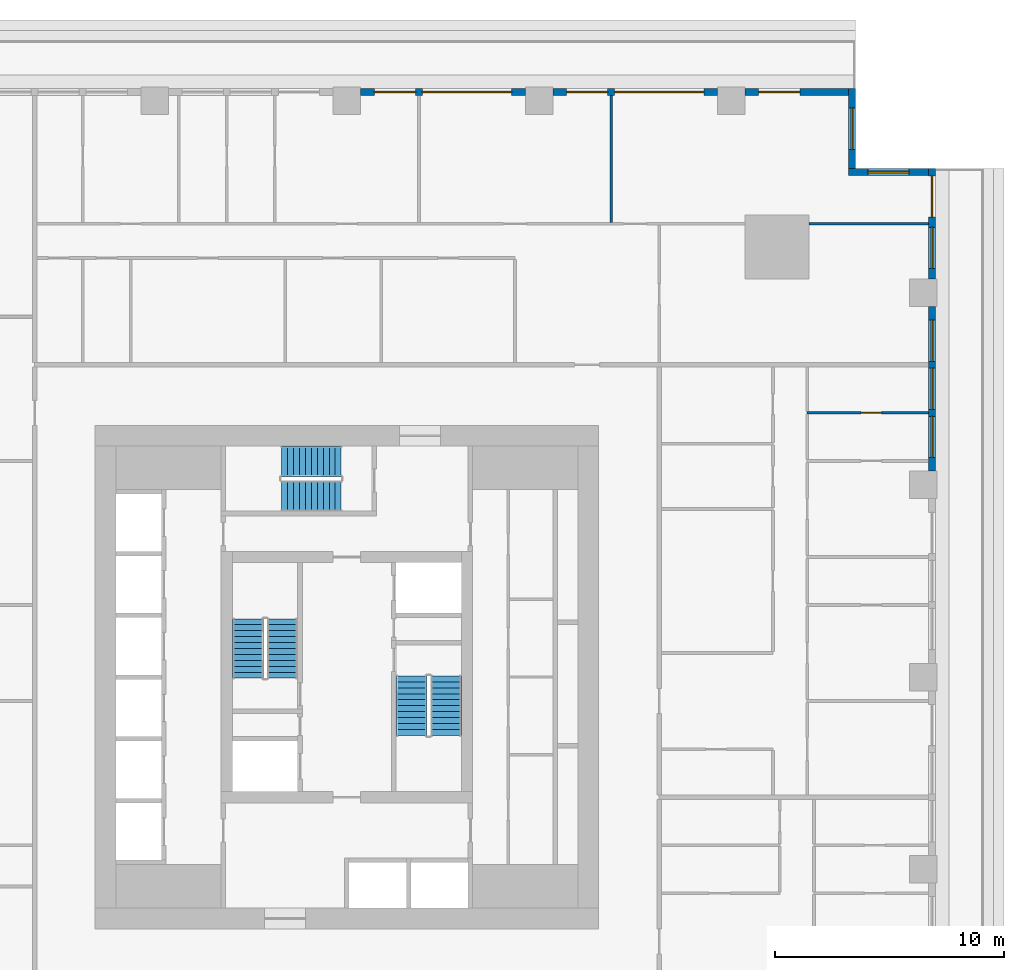
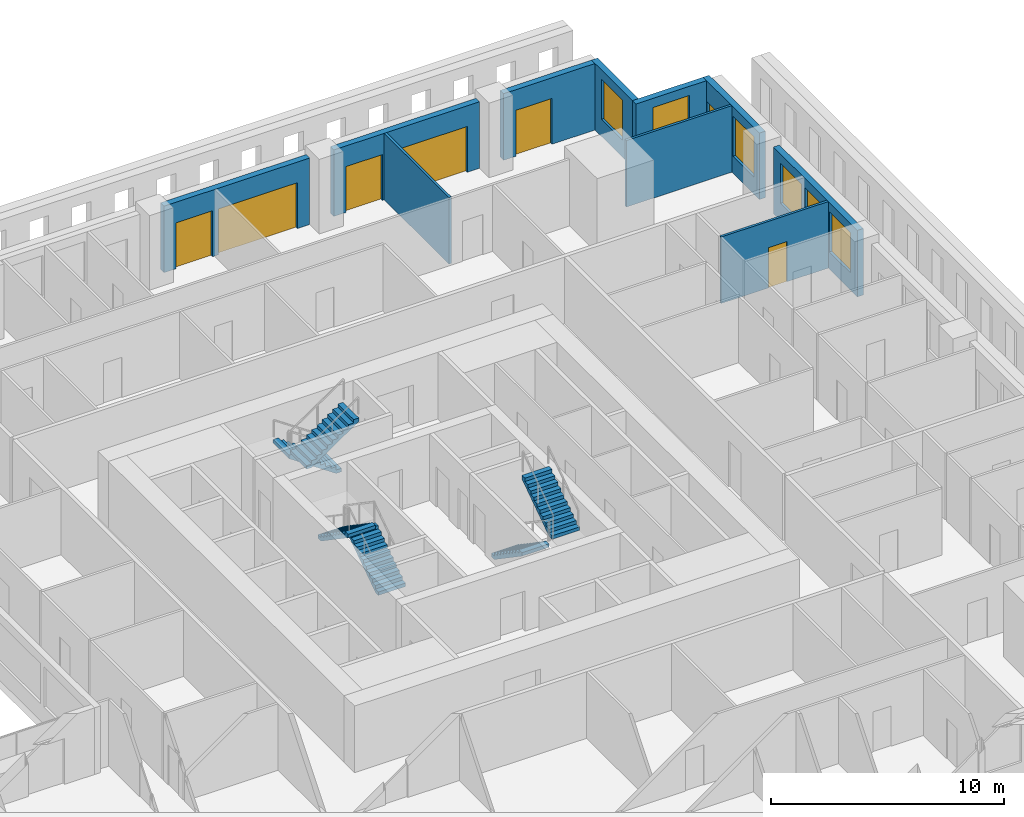
# One storey, part 9 of 14: 10 walls, 7 doors, 6 stair flights, 6 windows, 13 openings, 3 elements without a shape of their own.
"""IFC4 building model written with IfcOpenShell, lengths in metres."""

from ifc_helpers import new_model, si_unit, direction, frame, frame_2d, origin, place, context, subcontext, project, spatial, polyline, rectangle, outline, extrude, material, layer, layer_set, type_object, element, fill, aggregate, save


model = new_model("IFC4")

# Units and contexts
model_context = context("Model", 3, precision=1e-05, world=origin(), true_north=direction((0.0, 1.0)))
body_context = subcontext(model_context, "Body", "Model", "MODEL_VIEW")
ifc_project = project(units=[si_unit("LENGTHUNIT", "METRE"), si_unit("AREAUNIT", "SQUARE_METRE"), si_unit("VOLUMEUNIT", "CUBIC_METRE"), si_unit("PLANEANGLEUNIT", "RADIAN"), si_unit("MASSUNIT", "GRAM", prefix="KILO")], contexts=[model_context])

# Site, building, storey
site_placement = place(None, origin())
site = spatial("IfcSite", under=ifc_project, at=site_placement, CompositionType="ELEMENT")
building_placement = place(site_placement, origin())
building = spatial("IfcBuilding", under=site, at=building_placement, Name="Khepri Terraces", CompositionType="ELEMENT")
storey_placement = place(building_placement, frame((0.0, 0.0, 87.0)))
storey = spatial("IfcBuildingStorey", under=building, at=storey_placement, Name="L20", CompositionType="ELEMENT", Elevation=87.0)

# Wall, openings, windows
ifc_material_1 = material(Name="Precast concrete C50/60 warm stone", Category="masonry")
ifc_layer_1 = layer(ifc_material_1, 0.300048828125, Name="Precast concrete C50/60 warm stone", Category="masonry")
ifc_layer_set_1 = layer_set([ifc_layer_1], Name="Precast concrete C50/60 warm stone")
wall_type_1 = type_object("IfcWallType", Name="WL-EXT-PRECAST-300", PredefinedType="STANDARD", material=ifc_layer_set_1)
wall_1_placement = place(storey_placement, frame((25.570068359375, 9.0, 0.0), z_axis=(0.0, 0.0, 1.0), x_axis=(0.0, 1.0, 0.0)))
wall_1 = element("IfcWall", 1, at=wall_1_placement, inside=storey, type_object=wall_type_1, Name="External wall L20 E", PredefinedType="STANDARD", context=body_context, shape_type="SweptSolid", body=[
    extrude(rectangle(XDim=7.199951171875, YDim=0.300048828125, at=frame_2d((3.60009765625, 0.0))), origin(), (0.0, 0.0, 1.0), 3.47998046875),
])
opening_1_placement = place(wall_1_placement, frame((0.60009765625, 0.0, 0.89990234375)))
opening_1 = element("IfcOpeningElement", 2, at=opening_1_placement, cuts=wall_1, Name="Opening W1", PredefinedType="OPENING", context=body_context, shape_type="SweptSolid", body=[
    extrude(rectangle(XDim=1.800048828125, YDim=2.10009765625, at=frame_2d((0.89990234375, 1.050048828125))), frame((0.0, 0.16015625, 0.0), z_axis=(0.0, -1.0, 0.0), x_axis=(1.0, 0.0, 0.0)), (0.0, 0.0, 1.0), 0.320068359375),
])
opening_2_placement = place(wall_1_placement, frame((2.699951171875, 0.0, 0.89990234375)))
opening_2 = element("IfcOpeningElement", 3, at=opening_2_placement, cuts=wall_1, Name="Opening W1", PredefinedType="OPENING", context=body_context, shape_type="SweptSolid", body=[
    extrude(rectangle(XDim=1.800048828125, YDim=2.10009765625, at=frame_2d((0.89990234375, 1.050048828125))), frame((0.0, 0.16015625, 0.0), z_axis=(0.0, -1.0, 0.0), x_axis=(1.0, 0.0, 0.0)), (0.0, 0.0, 1.0), 0.320068359375),
])
opening_3_placement = place(wall_1_placement, frame((4.800048828125, 0.0, 0.89990234375)))
opening_3 = element("IfcOpeningElement", 4, at=opening_3_placement, cuts=wall_1, Name="Opening W1", PredefinedType="OPENING", context=body_context, shape_type="SweptSolid", body=[
    extrude(rectangle(XDim=1.800048828125, YDim=2.10009765625, at=frame_2d((0.89990234375, 1.050048828125))), frame((0.0, 0.16015625, 0.0), z_axis=(0.0, -1.0, 0.0), x_axis=(1.0, 0.0, 0.0)), (0.0, 0.0, 1.0), 0.320068359375),
])
ifc_material_2 = material(Name="Clear glass", Category="glass")
window_type = type_object("IfcWindowType", Name="WIN-RES-1800x2100", PartitioningType="SINGLE_PANEL", PredefinedType="WINDOW", material=ifc_material_2)
window_1_placement = place(opening_1_placement, origin())
window_1 = element("IfcWindow", 5, at=window_1_placement, inside=storey, type_object=window_type, Name="Window L20 E", OverallHeight=2.10009765625, OverallWidth=1.800048828125, PartitioningType="SINGLE_PANEL", PredefinedType="WINDOW", context=body_context, shape_type="SweptSolid", body=[
    extrude(rectangle(XDim=1.800048828125, YDim=2.10009765625, at=frame_2d((0.89990234375, 1.050048828125))), frame((0.0, 0.030029296875, 0.0), z_axis=(0.0, -1.0, 0.0), x_axis=(1.0, 0.0, 0.0)), (0.0, 0.0, 1.0), 0.06005859375),
])
fill(opening_1, window_1)
window_2_placement = place(opening_2_placement, origin())
window_2 = element("IfcWindow", 6, at=window_2_placement, inside=storey, type_object=window_type, Name="Window L20 E", OverallHeight=2.10009765625, OverallWidth=1.800048828125, PartitioningType="SINGLE_PANEL", PredefinedType="WINDOW", context=body_context, shape_type="SweptSolid", body=[
    extrude(rectangle(XDim=1.800048828125, YDim=2.10009765625, at=frame_2d((0.89990234375, 1.050048828125))), frame((0.0, 0.030029296875, 0.0), z_axis=(0.0, -1.0, 0.0), x_axis=(1.0, 0.0, 0.0)), (0.0, 0.0, 1.0), 0.06005859375),
])
fill(opening_2, window_2)
window_3_placement = place(opening_3_placement, origin())
window_3 = element("IfcWindow", 7, at=window_3_placement, inside=storey, type_object=window_type, Name="Window L20 E", OverallHeight=2.10009765625, OverallWidth=1.800048828125, PartitioningType="SINGLE_PANEL", PredefinedType="WINDOW", context=body_context, shape_type="SweptSolid", body=[
    extrude(rectangle(XDim=1.800048828125, YDim=2.10009765625, at=frame_2d((0.89990234375, 1.050048828125))), frame((0.0, 0.030029296875, 0.0), z_axis=(0.0, -1.0, 0.0), x_axis=(1.0, 0.0, 0.0)), (0.0, 0.0, 1.0), 0.06005859375),
])
fill(opening_3, window_3)

# Wall, openings, door, window
wall_2_placement = place(storey_placement, frame((25.570068359375, 17.39990234375, 0.0), z_axis=(0.0, 0.0, 1.0), x_axis=(0.0, 1.0, 0.0)))
wall_2 = element("IfcWall", 8, at=wall_2_placement, inside=storey, type_object=wall_type_1, Name="External wall L20 E", PredefinedType="STANDARD", context=body_context, shape_type="SweptSolid", body=[
    extrude(rectangle(XDim=4.820068359375, YDim=0.300048828125, at=frame_2d((2.41015625, 0.0))), origin(), (0.0, 0.0, 1.0), 3.47998046875),
])
opening_4_placement = place(wall_2_placement, frame((2.699951171875, 0.0, 0.0)))
opening_4 = element("IfcOpeningElement", 9, at=opening_4_placement, cuts=wall_2, Name="Opening ED-L20-06", PredefinedType="OPENING", context=body_context, shape_type="SweptSolid", body=[
    extrude(rectangle(XDim=1.800048828125, YDim=2.39990234375, at=frame_2d((0.89990234375, 1.199951171875))), frame((0.0, 0.16015625, 0.0), z_axis=(0.0, -1.0, 0.0), x_axis=(1.0, 0.0, 0.0)), (0.0, 0.0, 1.0), 0.320068359375),
])
opening_5_placement = place(wall_2_placement, frame((0.4599609375, 0.0, 0.89990234375)))
opening_5 = element("IfcOpeningElement", 10, at=opening_5_placement, cuts=wall_2, Name="Opening W1", PredefinedType="OPENING", context=body_context, shape_type="SweptSolid", body=[
    extrude(rectangle(XDim=1.800048828125, YDim=2.10009765625, at=frame_2d((0.89990234375, 1.050048828125))), frame((0.0, 0.16015625, 0.0), z_axis=(0.0, -1.0, 0.0), x_axis=(1.0, 0.0, 0.0)), (0.0, 0.0, 1.0), 0.320068359375),
])
ifc_material_3 = material(Name="Anodised aluminium bronze glazed door", Category="aluminium")
door_type_1 = type_object("IfcDoorType", Name="DR-BAL-SLIDE-1800x2400", OperationType="NOTDEFINED", PredefinedType="DOOR", material=ifc_material_3)
door_1_placement = place(opening_4_placement, origin())
door_1 = element("IfcDoor", 11, at=door_1_placement, inside=storey, type_object=door_type_1, Name="Balcony door L20 E", OperationType="SLIDING_TO_LEFT", OverallHeight=2.39990234375, OverallWidth=1.800048828125, PredefinedType="DOOR", context=body_context, shape_type="SweptSolid", body=[
    extrude(rectangle(XDim=1.800048828125, YDim=2.39990234375, at=frame_2d((0.89990234375, 1.199951171875))), frame((0.0, 0.02490234375, 0.0), z_axis=(0.0, -1.0, 0.0), x_axis=(1.0, 0.0, 0.0)), (0.0, 0.0, 1.0), 0.050048828125),
])
fill(opening_4, door_1)
window_4_placement = place(opening_5_placement, origin())
window_4 = element("IfcWindow", 12, at=window_4_placement, inside=storey, type_object=window_type, Name="Window L20 E", OverallHeight=2.10009765625, OverallWidth=1.800048828125, PartitioningType="SINGLE_PANEL", PredefinedType="WINDOW", context=body_context, shape_type="SweptSolid", body=[
    extrude(rectangle(XDim=1.800048828125, YDim=2.10009765625, at=frame_2d((0.89990234375, 1.050048828125))), frame((0.0, 0.030029296875, 0.0), z_axis=(0.0, -1.0, 0.0), x_axis=(1.0, 0.0, 0.0)), (0.0, 0.0, 1.0), 0.06005859375),
])
fill(opening_5, window_4)

# Wall, opening, window
wall_3_placement = place(storey_placement, frame((25.419921875, 22.070068359375, 0.0), z_axis=(0.0, 0.0, 1.0), x_axis=(-1.0, 0.0, 0.0)))
wall_3 = element("IfcWall", 13, at=wall_3_placement, inside=storey, type_object=wall_type_1, Name="External wall L20 N", PredefinedType="STANDARD", context=body_context, shape_type="SweptSolid", body=[
    extrude(rectangle(XDim=3.5, YDim=0.300048828125, at=frame_2d((1.75, 0.0))), origin(), (0.0, 0.0, 1.0), 3.47998046875),
])
opening_6_placement = place(wall_3_placement, frame((0.85009765625, 0.0, 0.89990234375)))
opening_6 = element("IfcOpeningElement", 14, at=opening_6_placement, cuts=wall_3, Name="Opening W1", PredefinedType="OPENING", context=body_context, shape_type="SweptSolid", body=[
    extrude(rectangle(XDim=1.800048828125, YDim=2.10009765625, at=frame_2d((0.89990234375, 1.050048828125))), frame((0.0, 0.16015625, 0.0), z_axis=(0.0, -1.0, 0.0), x_axis=(1.0, 0.0, 0.0)), (0.0, 0.0, 1.0), 0.320068359375),
])
window_5_placement = place(opening_6_placement, origin())
window_5 = element("IfcWindow", 15, at=window_5_placement, inside=storey, type_object=window_type, Name="Window L20 N", OverallHeight=2.10009765625, OverallWidth=1.800048828125, PartitioningType="SINGLE_PANEL", PredefinedType="WINDOW", context=body_context, shape_type="SweptSolid", body=[
    extrude(rectangle(XDim=1.800048828125, YDim=2.10009765625, at=frame_2d((0.89990234375, 1.050048828125))), frame((0.0, 0.030029296875, 0.0), z_axis=(0.0, -1.0, 0.0), x_axis=(1.0, 0.0, 0.0)), (0.0, 0.0, 1.0), 0.06005859375),
])
fill(opening_6, window_5)

wall_4_placement = place(storey_placement, frame((22.070068359375, 22.219970703125, 0.0), z_axis=(0.0, 0.0, 1.0), x_axis=(0.0, 1.0, 0.0)))
wall_4 = element("IfcWall", 16, at=wall_4_placement, inside=storey, type_object=wall_type_1, Name="External wall L20 E", PredefinedType="STANDARD", context=body_context, shape_type="SweptSolid", body=[
    extrude(rectangle(XDim=3.5, YDim=0.300048828125, at=frame_2d((1.75, 0.0))), origin(), (0.0, 0.0, 1.0), 3.47998046875),
])
opening_7_placement = place(wall_4_placement, frame((0.85009765625, 0.0, 0.89990234375)))
opening_7 = element("IfcOpeningElement", 17, at=opening_7_placement, cuts=wall_4, Name="Opening W1", PredefinedType="OPENING", context=body_context, shape_type="SweptSolid", body=[
    extrude(rectangle(XDim=1.800048828125, YDim=2.10009765625, at=frame_2d((0.89990234375, 1.050048828125))), frame((0.0, 0.16015625, 0.0), z_axis=(0.0, -1.0, 0.0), x_axis=(1.0, 0.0, 0.0)), (0.0, 0.0, 1.0), 0.320068359375),
])
window_6_placement = place(opening_7_placement, origin())
window_6 = element("IfcWindow", 18, at=window_6_placement, inside=storey, type_object=window_type, Name="Window L20 E", OverallHeight=2.10009765625, OverallWidth=1.800048828125, PartitioningType="SINGLE_PANEL", PredefinedType="WINDOW", context=body_context, shape_type="SweptSolid", body=[
    extrude(rectangle(XDim=1.800048828125, YDim=2.10009765625, at=frame_2d((0.89990234375, 1.050048828125))), frame((0.0, 0.030029296875, 0.0), z_axis=(0.0, -1.0, 0.0), x_axis=(1.0, 0.0, 0.0)), (0.0, 0.0, 1.0), 0.06005859375),
])
fill(opening_7, window_6)

# Wall, opening, door
wall_5_placement = place(storey_placement, frame((21.919921875, 25.570068359375, 0.0), z_axis=(0.0, 0.0, 1.0), x_axis=(-1.0, 0.0, 0.0)))
wall_5 = element("IfcWall", 19, at=wall_5_placement, inside=storey, type_object=wall_type_1, Name="External wall L20 N", PredefinedType="STANDARD", context=body_context, shape_type="SweptSolid", body=[
    extrude(rectangle(XDim=4.52001953125, YDim=0.300048828125, at=frame_2d((2.260009765625, 0.0))), origin(), (0.0, 0.0, 1.0), 3.47998046875),
])
opening_8_placement = place(wall_5_placement, frame((2.1201171875, 0.0, 0.0)))
opening_8 = element("IfcOpeningElement", 20, at=opening_8_placement, cuts=wall_5, Name="Opening ED-L20-07", PredefinedType="OPENING", context=body_context, shape_type="SweptSolid", body=[
    extrude(rectangle(XDim=1.800048828125, YDim=2.39990234375, at=frame_2d((0.89990234375, 1.199951171875))), frame((0.0, 0.16015625, 0.0), z_axis=(0.0, -1.0, 0.0), x_axis=(1.0, 0.0, 0.0)), (0.0, 0.0, 1.0), 0.320068359375),
])
door_2_placement = place(opening_8_placement, origin())
door_2 = element("IfcDoor", 21, at=door_2_placement, inside=storey, type_object=door_type_1, Name="Balcony door L20 N", OperationType="SLIDING_TO_RIGHT", OverallHeight=2.39990234375, OverallWidth=1.800048828125, PredefinedType="DOOR", context=body_context, shape_type="SweptSolid", body=[
    extrude(rectangle(XDim=1.800048828125, YDim=2.39990234375, at=frame_2d((0.89990234375, 1.199951171875))), frame((0.0, 0.02490234375, 0.0), z_axis=(0.0, -1.0, 0.0), x_axis=(1.0, 0.0, 0.0)), (0.0, 0.0, 1.0), 0.050048828125),
])
fill(opening_8, door_2)

# Wall, openings, doors
wall_6_placement = place(storey_placement, frame((16.199951171875, 25.570068359375, 0.0), z_axis=(0.0, 0.0, 1.0), x_axis=(-1.0, 0.0, 0.0)))
wall_6 = element("IfcWall", 22, at=wall_6_placement, inside=storey, type_object=wall_type_1, Name="External wall L20 N", PredefinedType="STANDARD", context=body_context, shape_type="SweptSolid", body=[
    extrude(rectangle(XDim=7.199951171875, YDim=0.300048828125, at=frame_2d((3.60009765625, 0.0))), origin(), (0.0, 0.0, 1.0), 3.47998046875),
])
opening_9_placement = place(wall_6_placement, frame((0.60009765625, 0.0, 0.0)))
opening_9 = element("IfcOpeningElement", 23, at=opening_9_placement, cuts=wall_6, Name="Opening ED-L20-08", PredefinedType="OPENING", context=body_context, shape_type="SweptSolid", body=[
    extrude(rectangle(XDim=3.89990234375, YDim=2.39990234375, at=frame_2d((1.949951171875, 1.199951171875))), frame((0.0, 0.16015625, 0.0), z_axis=(0.0, -1.0, 0.0), x_axis=(1.0, 0.0, 0.0)), (0.0, 0.0, 1.0), 0.320068359375),
])
opening_10_placement = place(wall_6_placement, frame((4.800048828125, 0.0, 0.0)))
opening_10 = element("IfcOpeningElement", 24, at=opening_10_placement, cuts=wall_6, Name="Opening ED-L20-09", PredefinedType="OPENING", context=body_context, shape_type="SweptSolid", body=[
    extrude(rectangle(XDim=1.800048828125, YDim=2.39990234375, at=frame_2d((0.89990234375, 1.199951171875))), frame((0.0, 0.16015625, 0.0), z_axis=(0.0, -1.0, 0.0), x_axis=(1.0, 0.0, 0.0)), (0.0, 0.0, 1.0), 0.320068359375),
])
door_3_placement = place(opening_10_placement, origin())
door_3 = element("IfcDoor", 25, at=door_3_placement, inside=storey, type_object=door_type_1, Name="Balcony door L20 N", OperationType="SLIDING_TO_RIGHT", OverallHeight=2.39990234375, OverallWidth=1.800048828125, PredefinedType="DOOR", context=body_context, shape_type="SweptSolid", body=[
    extrude(rectangle(XDim=1.800048828125, YDim=2.39990234375, at=frame_2d((0.89990234375, 1.199951171875))), frame((0.0, 0.02490234375, 0.0), z_axis=(0.0, -1.0, 0.0), x_axis=(1.0, 0.0, 0.0)), (0.0, 0.0, 1.0), 0.050048828125),
])
fill(opening_10, door_3)
door_type_2 = type_object("IfcDoorType", Name="DR-BAL-SLIDE-3900x2400", OperationType="NOTDEFINED", PredefinedType="DOOR", material=ifc_material_3)
door_4_placement = place(opening_9_placement, origin())
door_4 = element("IfcDoor", 26, at=door_4_placement, inside=storey, type_object=door_type_2, Name="Balcony door L20 N", OperationType="SLIDING_TO_LEFT", OverallHeight=2.39990234375, OverallWidth=3.89990234375, PredefinedType="DOOR", context=body_context, shape_type="SweptSolid", body=[
    extrude(rectangle(XDim=3.89990234375, YDim=2.39990234375, at=frame_2d((1.949951171875, 1.199951171875))), frame((0.0, 0.02490234375, 0.0), z_axis=(0.0, -1.0, 0.0), x_axis=(1.0, 0.0, 0.0)), (0.0, 0.0, 1.0), 0.050048828125),
])
fill(opening_9, door_4)

wall_7_placement = place(storey_placement, frame((7.800048828125, 25.570068359375, 0.0), z_axis=(0.0, 0.0, 1.0), x_axis=(-1.0, 0.0, 0.0)))
wall_7 = element("IfcWall", 27, at=wall_7_placement, inside=storey, type_object=wall_type_1, Name="External wall L20 N", PredefinedType="STANDARD", context=body_context, shape_type="SweptSolid", body=[
    extrude(rectangle(XDim=7.199951171875, YDim=0.300048828125, at=frame_2d((3.60009765625, 0.0))), origin(), (0.0, 0.0, 1.0), 3.47998046875),
])
opening_11_placement = place(wall_7_placement, frame((0.60009765625, 0.0, 0.0)))
opening_11 = element("IfcOpeningElement", 28, at=opening_11_placement, cuts=wall_7, Name="Opening ED-L20-10", PredefinedType="OPENING", context=body_context, shape_type="SweptSolid", body=[
    extrude(rectangle(XDim=3.89990234375, YDim=2.39990234375, at=frame_2d((1.949951171875, 1.199951171875))), frame((0.0, 0.16015625, 0.0), z_axis=(0.0, -1.0, 0.0), x_axis=(1.0, 0.0, 0.0)), (0.0, 0.0, 1.0), 0.320068359375),
])
opening_12_placement = place(wall_7_placement, frame((4.800048828125, 0.0, 0.0)))
opening_12 = element("IfcOpeningElement", 29, at=opening_12_placement, cuts=wall_7, Name="Opening ED-L20-11", PredefinedType="OPENING", context=body_context, shape_type="SweptSolid", body=[
    extrude(rectangle(XDim=1.800048828125, YDim=2.39990234375, at=frame_2d((0.89990234375, 1.199951171875))), frame((0.0, 0.16015625, 0.0), z_axis=(0.0, -1.0, 0.0), x_axis=(1.0, 0.0, 0.0)), (0.0, 0.0, 1.0), 0.320068359375),
])
door_5_placement = place(opening_12_placement, origin())
door_5 = element("IfcDoor", 30, at=door_5_placement, inside=storey, type_object=door_type_1, Name="Balcony door L20 N", OperationType="SLIDING_TO_RIGHT", OverallHeight=2.39990234375, OverallWidth=1.800048828125, PredefinedType="DOOR", context=body_context, shape_type="SweptSolid", body=[
    extrude(rectangle(XDim=1.800048828125, YDim=2.39990234375, at=frame_2d((0.89990234375, 1.199951171875))), frame((0.0, 0.02490234375, 0.0), z_axis=(0.0, -1.0, 0.0), x_axis=(1.0, 0.0, 0.0)), (0.0, 0.0, 1.0), 0.050048828125),
])
fill(opening_12, door_5)
door_6_placement = place(opening_11_placement, origin())
door_6 = element("IfcDoor", 31, at=door_6_placement, inside=storey, type_object=door_type_2, Name="Balcony door L20 N", OperationType="SLIDING_TO_LEFT", OverallHeight=2.39990234375, OverallWidth=3.89990234375, PredefinedType="DOOR", context=body_context, shape_type="SweptSolid", body=[
    extrude(rectangle(XDim=3.89990234375, YDim=2.39990234375, at=frame_2d((1.949951171875, 1.199951171875))), frame((0.0, 0.02490234375, 0.0), z_axis=(0.0, -1.0, 0.0), x_axis=(1.0, 0.0, 0.0)), (0.0, 0.0, 1.0), 0.050048828125),
])
fill(opening_11, door_6)

# Wall, opening, door
ifc_material_4 = material(Name="Gypsum plasterboard partition")
ifc_layer_2 = layer(ifc_material_4, 0.1201171875, Name="Gypsum plasterboard partition")
ifc_layer_set_2 = layer_set([ifc_layer_2], Name="Gypsum plasterboard partition")
wall_type_2 = type_object("IfcWallType", Name="WL-PART-120", PredefinedType="PARTITIONING", material=ifc_layer_set_2)
wall_8_placement = place(storey_placement, frame((20.1201171875, 11.550048828125, 0.0), z_axis=(0.0, 0.0, 1.0), x_axis=(1.0, 0.0, 0.0)))
wall_8 = element("IfcWall", 32, at=wall_8_placement, inside=storey, type_object=wall_type_2, Name="Partition P-071 L20", PredefinedType="PARTITIONING", context=body_context, shape_type="SweptSolid", body=[
    extrude(rectangle(XDim=5.2998046875, YDim=0.1201171875, at=frame_2d((2.64990234375, 0.0))), origin(), (0.0, 0.0, 1.0), 3.47998046875),
])
opening_13_placement = place(wall_8_placement, frame((2.35009765625, 0.0, 0.0)))
opening_13 = element("IfcOpeningElement", 33, at=opening_13_placement, cuts=wall_8, Name="Opening D4", PredefinedType="OPENING", context=body_context, shape_type="SweptSolid", body=[
    extrude(rectangle(XDim=0.89990234375, YDim=2.10009765625, at=frame_2d((0.449951171875, 1.050048828125))), frame((0.0, 0.070068359375, 0.0), z_axis=(0.0, -1.0, 0.0), x_axis=(1.0, 0.0, 0.0)), (0.0, 0.0, 1.0), 0.14013671875),
])
ifc_material_5 = material(Name="Timber door leaf, moisture resistant", Category="wood")
door_type_3 = type_object("IfcDoorType", Name="DR-WET-900", OperationType="NOTDEFINED", PredefinedType="DOOR", material=ifc_material_5)
door_7_placement = place(opening_13_placement, origin())
door_7 = element("IfcDoor", 34, at=door_7_placement, inside=storey, type_object=door_type_3, Name="Door Bathroom", OperationType="SINGLE_SWING_RIGHT", OverallHeight=2.10009765625, OverallWidth=0.89990234375, PredefinedType="DOOR", context=body_context, shape_type="SweptSolid", body=[
    extrude(rectangle(XDim=0.89990234375, YDim=2.10009765625, at=frame_2d((0.449951171875, 1.050048828125))), frame((0.0, 0.02490234375, 0.0), z_axis=(0.0, -1.0, 0.0), x_axis=(1.0, 0.0, 0.0)), (0.0, 0.0, 1.0), 0.050048828125),
])
fill(opening_13, door_7)

# Walls
wall_9_placement = place(storey_placement, frame((20.199951171875, 19.820068359375, 0.0), z_axis=(0.0, 0.0, 1.0), x_axis=(1.0, 0.0, 0.0)))
element("IfcWall", 35, at=wall_9_placement, inside=storey, type_object=wall_type_2, Name="Partition P-087 L20", PredefinedType="PARTITIONING", context=body_context, shape_type="SweptSolid", body=[
    extrude(rectangle(XDim=5.219970703125, YDim=0.1201171875, at=frame_2d((2.60986328125, 0.0))), origin(), (0.0, 0.0, 1.0), 3.47998046875),
])
wall_10_placement = place(storey_placement, frame((11.550048828125, 19.8798828125, 0.0), z_axis=(0.0, 0.0, 1.0), x_axis=(0.0, 1.0, 0.0)))
element("IfcWall", 36, at=wall_10_placement, inside=storey, type_object=wall_type_2, Name="Partition P-093 L20", PredefinedType="PARTITIONING", context=body_context, shape_type="SweptSolid", body=[
    extrude(rectangle(XDim=5.5400390625, YDim=0.1201171875, at=frame_2d((2.77001953125, 0.0))), origin(), (0.0, 0.0, 1.0), 3.47998046875),
])

# Stair, stair flights
ifc_material_6 = material(Name="Concrete C40/50", Category="concrete")
stair_type = type_object("IfcStairType", Name="STAIR-RC-22R", PredefinedType="HALF_TURN_STAIR", material=ifc_material_6)
stair_1_placement = place(storey_placement, origin())
stair_1 = element("IfcStair", 37, at=stair_1_placement, inside=storey, type_object=stair_type, Name="L20 Exit Stair ST-1", PredefinedType="HALF_TURN_STAIR")
stair_flight_type = type_object("IfcStairFlightType", Name="SFL-RC-177.3", PredefinedType="STRAIGHT", material=ifc_material_6)
stair_flight_1_placement = place(storey_placement, frame((-2.824951171875, -0.050048828125, 0.0), z_axis=(0.0, 0.0, 1.0), x_axis=(0.0, 1.0, 0.0)))
stair_flight_1 = element("IfcStairFlight", 38, at=stair_flight_1_placement, type_object=stair_flight_type, Name="ST-1 flight 1", NumberOfRisers=11, NumberOfTreads=10, PredefinedType="STRAIGHT", RiserHeight=0.177272727, TreadLength=0.26, context=body_context, shape_type="SweptSolid", body=[
    extrude(outline(polyline([(0.0, 0.0), (0.0, 0.17724609375), (0.260009765625, 0.17724609375), (0.260009765625, 0.3544921875), (0.52001953125, 0.3544921875), (0.52001953125, 0.53173828125), (0.780029296875, 0.53173828125), (0.780029296875, 0.708984375), (1.0400390625, 0.708984375), (1.0400390625, 0.886474609375), (1.300048828125, 0.886474609375), (1.300048828125, 1.063720703125), (1.56005859375, 1.063720703125), (1.56005859375, 1.240966796875), (1.820068359375, 1.240966796875), (1.820068359375, 1.418212890625), (2.080078125, 1.418212890625), (2.080078125, 1.595458984375), (2.340087890625, 1.595458984375), (2.340087890625, 1.772705078125), (2.60009765625, 1.772705078125), (2.60009765625, 1.949951171875), (2.60009765625, 1.59130859375), (0.26611328125, 0.0), (0.0, 0.0)])), frame((0.0, 0.675048828125, 0.0), z_axis=(0.0, -1.0, 0.0), x_axis=(1.0, 0.0, 0.0)), (0.0, 0.0, 1.0), 1.35009765625),
])
stair_flight_2_placement = place(storey_placement, frame((-4.324951171875, 2.550048828125, 1.949951171875), z_axis=(0.0, 0.0, 1.0), x_axis=(0.0, -1.0, 0.0)))
stair_flight_2 = element("IfcStairFlight", 39, at=stair_flight_2_placement, type_object=stair_flight_type, Name="ST-1 flight 2", NumberOfRisers=11, NumberOfTreads=10, PredefinedType="STRAIGHT", RiserHeight=0.177272727, TreadLength=0.26, context=body_context, shape_type="SweptSolid", body=[
    extrude(outline(polyline([(0.0, 0.0), (0.0, 0.17724609375), (0.260009765625, 0.17724609375), (0.260009765625, 0.3544921875), (0.52001953125, 0.3544921875), (0.52001953125, 0.53173828125), (0.780029296875, 0.53173828125), (0.780029296875, 0.708984375), (1.0400390625, 0.708984375), (1.0400390625, 0.886474609375), (1.300048828125, 0.886474609375), (1.300048828125, 1.063720703125), (1.56005859375, 1.063720703125), (1.56005859375, 1.240966796875), (1.820068359375, 1.240966796875), (1.820068359375, 1.418212890625), (2.080078125, 1.418212890625), (2.080078125, 1.595458984375), (2.340087890625, 1.595458984375), (2.340087890625, 1.772705078125), (2.60009765625, 1.772705078125), (2.60009765625, 1.949951171875), (2.60009765625, 1.59130859375), (0.26611328125, 0.0), (0.0, 0.0)])), frame((0.0, 0.675048828125, 0.0), z_axis=(0.0, -1.0, 0.0), x_axis=(1.0, 0.0, 0.0)), (0.0, 0.0, 1.0), 1.35009765625),
])
aggregate(stair_1, [stair_flight_1, stair_flight_2])

stair_2_placement = place(storey_placement, origin())
stair_2 = element("IfcStair", 40, at=stair_2_placement, inside=storey, type_object=stair_type, Name="L20 Exit Stair ST-2", PredefinedType="HALF_TURN_STAIR")
stair_flight_3_placement = place(storey_placement, frame((2.824951171875, 0.050048828125, 0.0), z_axis=(0.0, 0.0, 1.0), x_axis=(0.0, -1.0, 0.0)))
stair_flight_3 = element("IfcStairFlight", 41, at=stair_flight_3_placement, type_object=stair_flight_type, Name="ST-2 flight 1", NumberOfRisers=11, NumberOfTreads=10, PredefinedType="STRAIGHT", RiserHeight=0.177272727, TreadLength=0.26, context=body_context, shape_type="SweptSolid", body=[
    extrude(outline(polyline([(0.0, 0.0), (0.0, 0.17724609375), (0.260009765625, 0.17724609375), (0.260009765625, 0.3544921875), (0.52001953125, 0.3544921875), (0.52001953125, 0.53173828125), (0.780029296875, 0.53173828125), (0.780029296875, 0.708984375), (1.0400390625, 0.708984375), (1.0400390625, 0.886474609375), (1.300048828125, 0.886474609375), (1.300048828125, 1.063720703125), (1.56005859375, 1.063720703125), (1.56005859375, 1.240966796875), (1.820068359375, 1.240966796875), (1.820068359375, 1.418212890625), (2.080078125, 1.418212890625), (2.080078125, 1.595458984375), (2.340087890625, 1.595458984375), (2.340087890625, 1.772705078125), (2.60009765625, 1.772705078125), (2.60009765625, 1.949951171875), (2.60009765625, 1.59130859375), (0.26611328125, 0.0), (0.0, 0.0)])), frame((0.0, 0.675048828125, 0.0), z_axis=(0.0, -1.0, 0.0), x_axis=(1.0, 0.0, 0.0)), (0.0, 0.0, 1.0), 1.35009765625),
])
stair_flight_4_placement = place(storey_placement, frame((4.324951171875, -2.550048828125, 1.949951171875), z_axis=(0.0, 0.0, 1.0), x_axis=(0.0, 1.0, 0.0)))
stair_flight_4 = element("IfcStairFlight", 42, at=stair_flight_4_placement, type_object=stair_flight_type, Name="ST-2 flight 2", NumberOfRisers=11, NumberOfTreads=10, PredefinedType="STRAIGHT", RiserHeight=0.177272727, TreadLength=0.26, context=body_context, shape_type="SweptSolid", body=[
    extrude(outline(polyline([(0.0, 0.0), (0.0, 0.17724609375), (0.260009765625, 0.17724609375), (0.260009765625, 0.3544921875), (0.52001953125, 0.3544921875), (0.52001953125, 0.53173828125), (0.780029296875, 0.53173828125), (0.780029296875, 0.708984375), (1.0400390625, 0.708984375), (1.0400390625, 0.886474609375), (1.300048828125, 0.886474609375), (1.300048828125, 1.063720703125), (1.56005859375, 1.063720703125), (1.56005859375, 1.240966796875), (1.820068359375, 1.240966796875), (1.820068359375, 1.418212890625), (2.080078125, 1.418212890625), (2.080078125, 1.595458984375), (2.340087890625, 1.595458984375), (2.340087890625, 1.772705078125), (2.60009765625, 1.772705078125), (2.60009765625, 1.949951171875), (2.60009765625, 1.59130859375), (0.26611328125, 0.0), (0.0, 0.0)])), frame((0.0, 0.675048828125, 0.0), z_axis=(0.0, -1.0, 0.0), x_axis=(1.0, 0.0, 0.0)), (0.0, 0.0, 1.0), 1.35009765625),
])
aggregate(stair_2, [stair_flight_3, stair_flight_4])

stair_3_placement = place(storey_placement, origin())
stair_3 = element("IfcStair", 43, at=stair_3_placement, inside=storey, type_object=stair_type, Name="L20 Exit Stair ST-3", PredefinedType="HALF_TURN_STAIR")
stair_flight_5_placement = place(storey_placement, frame((-0.25, 9.425048828125, 0.0), z_axis=(0.0, 0.0, 1.0), x_axis=(-1.0, 0.0, 0.0)))
stair_flight_5 = element("IfcStairFlight", 44, at=stair_flight_5_placement, type_object=stair_flight_type, Name="ST-3 flight 1", NumberOfRisers=11, NumberOfTreads=10, PredefinedType="STRAIGHT", RiserHeight=0.177272727, TreadLength=0.26, context=body_context, shape_type="SweptSolid", body=[
    extrude(outline(polyline([(0.0, 0.0), (0.0, 0.17724609375), (0.260009765625, 0.17724609375), (0.260009765625, 0.3544921875), (0.52001953125, 0.3544921875), (0.52001953125, 0.53173828125), (0.780029296875, 0.53173828125), (0.780029296875, 0.708984375), (1.0400390625, 0.708984375), (1.0400390625, 0.886474609375), (1.300048828125, 0.886474609375), (1.300048828125, 1.063720703125), (1.56005859375, 1.063720703125), (1.56005859375, 1.240966796875), (1.820068359375, 1.240966796875), (1.820068359375, 1.418212890625), (2.080078125, 1.418212890625), (2.080078125, 1.595458984375), (2.340087890625, 1.595458984375), (2.340087890625, 1.772705078125), (2.60009765625, 1.772705078125), (2.60009765625, 1.949951171875), (2.60009765625, 1.59130859375), (0.26611328125, 0.0), (0.0, 0.0)])), frame((0.0, 0.675048828125, 0.0), z_axis=(0.0, -1.0, 0.0), x_axis=(1.0, 0.0, 0.0)), (0.0, 0.0, 1.0), 1.35009765625),
])
stair_flight_6_placement = place(storey_placement, frame((-2.85009765625, 7.925048828125, 1.949951171875), z_axis=(0.0, 0.0, 1.0), x_axis=(1.0, 0.0, 0.0)))
stair_flight_6 = element("IfcStairFlight", 45, at=stair_flight_6_placement, type_object=stair_flight_type, Name="ST-3 flight 2", NumberOfRisers=11, NumberOfTreads=10, PredefinedType="STRAIGHT", RiserHeight=0.177272727, TreadLength=0.26, context=body_context, shape_type="SweptSolid", body=[
    extrude(outline(polyline([(0.0, 0.0), (0.0, 0.17724609375), (0.260009765625, 0.17724609375), (0.260009765625, 0.3544921875), (0.52001953125, 0.3544921875), (0.52001953125, 0.53173828125), (0.780029296875, 0.53173828125), (0.780029296875, 0.708984375), (1.0400390625, 0.708984375), (1.0400390625, 0.886474609375), (1.300048828125, 0.886474609375), (1.300048828125, 1.063720703125), (1.56005859375, 1.063720703125), (1.56005859375, 1.240966796875), (1.820068359375, 1.240966796875), (1.820068359375, 1.418212890625), (2.080078125, 1.418212890625), (2.080078125, 1.595458984375), (2.340087890625, 1.595458984375), (2.340087890625, 1.772705078125), (2.60009765625, 1.772705078125), (2.60009765625, 1.949951171875), (2.60009765625, 1.59130859375), (0.26611328125, 0.0), (0.0, 0.0)])), frame((0.0, 0.675048828125, 0.0), z_axis=(0.0, -1.0, 0.0), x_axis=(1.0, 0.0, 0.0)), (0.0, 0.0, 1.0), 1.35009765625),
])
aggregate(stair_3, [stair_flight_5, stair_flight_6])

save(model, "model.ifc")
